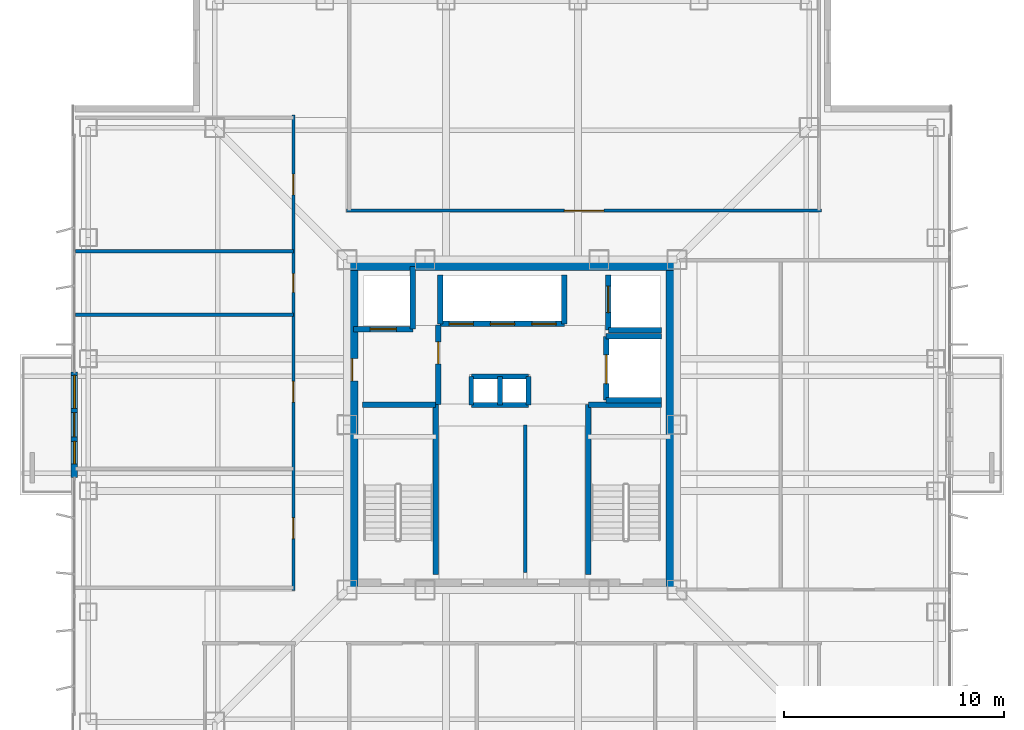
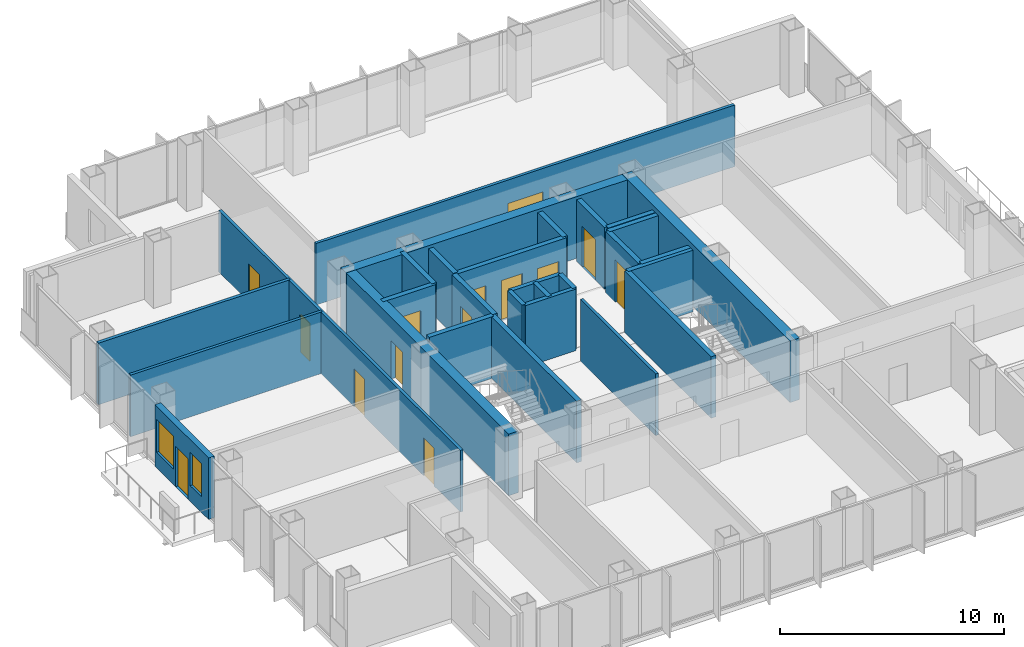
# One storey, part 11 of 15: 29 walls, 14 doors, 2 windows, 16 openings.
"""IFC4 building model written with IfcOpenShell, lengths in metres."""

from ifc_helpers import new_model, si_unit, direction, frame, frame_2d, origin, place, context, subcontext, project, spatial, rectangle, extrude, material, layer, layer_set, type_object, element, fill, save


model = new_model("IFC4")

# Units and contexts
model_context = context("Model", 3, precision=1e-05, world=origin(), true_north=direction((0.0, 1.0)))
body_context = subcontext(model_context, "Body", "Model", "MODEL_VIEW")
ifc_project = project(units=[si_unit("LENGTHUNIT", "METRE"), si_unit("AREAUNIT", "SQUARE_METRE"), si_unit("VOLUMEUNIT", "CUBIC_METRE"), si_unit("PLANEANGLEUNIT", "RADIAN"), si_unit("MASSUNIT", "GRAM", prefix="KILO")], contexts=[model_context])

# Site, building, storey
site_placement = place(None, origin())
site = spatial("IfcSite", under=ifc_project, at=site_placement, CompositionType="ELEMENT")
building_placement = place(site_placement, origin())
building = spatial("IfcBuilding", under=site, at=building_placement, Name="Trevonay Congress Spire", CompositionType="ELEMENT")
storey_placement = place(building_placement, frame((0.0, 0.0, 216.60009765625)))
storey = spatial("IfcBuildingStorey", under=building, at=storey_placement, Name="L56", CompositionType="ELEMENT", Elevation=216.60009765625)

# Wall
ifc_material_1 = material(Name="Concrete C50/60", Category="concrete")
ifc_layer_1 = layer(ifc_material_1, 0.5, Name="Concrete C50/60")
ifc_layer_set_1 = layer_set([ifc_layer_1], Name="Concrete C50/60")
wall_type_1 = type_object("IfcWallType", Name="WAL-CORE-500", PredefinedType="SHEAR", material=ifc_layer_set_1)
wall_1_placement = place(storey_placement, frame((-7.5, 7.25, 0.0), z_axis=(0.0, 0.0, 1.0), x_axis=(1.0, 0.0, 0.0)))
element("IfcWall", 1, at=wall_1_placement, inside=storey, type_object=wall_type_1, Name="L56 North structural core shear wall", PredefinedType="SHEAR", context=body_context, shape_type="SweptSolid", body=[
    extrude(rectangle(XDim=15.0, YDim=0.5, at=frame_2d((7.5, 0.0))), origin(), (0.0, 0.0, 1.0), 3.35986328125),
])

# Wall, opening, door
wall_2_placement = place(storey_placement, frame((-7.25, -7.5, 0.0), z_axis=(0.0, 0.0, 1.0), x_axis=(0.0, 1.0, 0.0)))
wall_2 = element("IfcWall", 2, at=wall_2_placement, inside=storey, type_object=wall_type_1, Name="L56 West structural core shear wall", PredefinedType="SHEAR", context=body_context, shape_type="SweptSolid", body=[
    extrude(rectangle(XDim=15.0, YDim=0.5, at=frame_2d((7.5, 0.0))), origin(), (0.0, 0.0, 1.0), 3.35986328125),
])
opening_1_placement = place(wall_2_placement, frame((9.5, 0.0, 0.0)))
opening_1 = element("IfcOpeningElement", 3, at=opening_1_placement, cuts=wall_2, Name="Opening D06", PredefinedType="OPENING", context=body_context, shape_type="SweptSolid", body=[
    extrude(rectangle(XDim=1.0, YDim=2.080078125, at=frame_2d((0.5, 1.0400390625))), frame((0.0, 0.260009765625, 0.0), z_axis=(0.0, -1.0, 0.0), x_axis=(1.0, 0.0, 0.0)), (0.0, 0.0, 1.0), 0.52001953125),
])
ifc_material_2 = material(Name="Steel ASTM A572 Grade 50", Category="steel")
door_type_1 = type_object("IfcDoorType", Name="DOR-FIRE-100", OperationType="NOTDEFINED", PredefinedType="DOOR", material=ifc_material_2)
door_1_placement = place(opening_1_placement, origin())
door_1 = element("IfcDoor", 4, at=door_1_placement, inside=storey, type_object=door_type_1, Name="L56 Firefighting Lift Lobby West Corridor Door", OperationType="SINGLE_SWING_RIGHT", OverallHeight=2.080078125, OverallWidth=1.0, PredefinedType="DOOR", context=body_context, shape_type="SweptSolid", body=[
    extrude(rectangle(XDim=1.0, YDim=2.080078125, at=frame_2d((0.5, 1.0400390625))), frame((0.0, 0.02490234375, 0.0), z_axis=(0.0, -1.0, 0.0), x_axis=(1.0, 0.0, 0.0)), (0.0, 0.0, 1.0), 0.050048828125),
])
fill(opening_1, door_1)

# Wall
wall_3_placement = place(storey_placement, frame((7.25, -7.5, 0.0), z_axis=(0.0, 0.0, 1.0), x_axis=(0.0, 1.0, 0.0)))
element("IfcWall", 5, at=wall_3_placement, inside=storey, type_object=wall_type_1, Name="L56 East structural core shear wall", PredefinedType="SHEAR", context=body_context, shape_type="SweptSolid", body=[
    extrude(rectangle(XDim=15.0, YDim=0.5, at=frame_2d((7.5, 0.0))), origin(), (0.0, 0.0, 1.0), 3.35986328125),
])

# Wall, openings, doors
ifc_material_3 = material(Name="Concrete C40/50", Category="concrete")
ifc_layer_2 = layer(ifc_material_3, 0.14990234375, Name="Concrete C40/50")
ifc_layer_set_2 = layer_set([ifc_layer_2], Name="Concrete C40/50")
wall_type_2 = type_object("IfcWallType", Name="WAL-CORR-150", PredefinedType="PARTITIONING", material=ifc_layer_set_2)
wall_4_placement = place(storey_placement, frame((-9.929931640625, -7.52001953125, 0.0), z_axis=(0.0, 0.0, 1.0), x_axis=(0.0, 1.0, 0.0)))
wall_4 = element("IfcWall", 6, at=wall_4_placement, inside=storey, type_object=wall_type_2, Name="L56 interior wall WP-L56NW-COR", PredefinedType="PARTITIONING", context=body_context, shape_type="SweptSolid", body=[
    extrude(rectangle(XDim=21.590087890625, YDim=0.14990234375, at=frame_2d((10.794921875, 0.0))), origin(), (0.0, 0.0, 1.0), 3.35986328125),
])
opening_2_placement = place(wall_4_placement, frame((2.344970703125, 0.0, 0.0)))
opening_2 = element("IfcOpeningElement", 7, at=opening_2_placement, cuts=wall_4, Name="Opening D07", PredefinedType="OPENING", context=body_context, shape_type="SweptSolid", body=[
    extrude(rectangle(XDim=0.949951171875, YDim=2.06005859375, at=frame_2d((0.47509765625, 1.030029296875))), frame((0.0, 0.0849609375, 0.0), z_axis=(0.0, -1.0, 0.0), x_axis=(1.0, 0.0, 0.0)), (0.0, 0.0, 1.0), 0.169921875),
])
opening_3_placement = place(wall_4_placement, frame((8.544921875, 0.0, 0.0)))
opening_3 = element("IfcOpeningElement", 8, at=opening_3_placement, cuts=wall_4, Name="Opening D07", PredefinedType="OPENING", context=body_context, shape_type="SweptSolid", body=[
    extrude(rectangle(XDim=0.949951171875, YDim=2.06005859375, at=frame_2d((0.47509765625, 1.030029296875))), frame((0.0, 0.0849609375, 0.0), z_axis=(0.0, -1.0, 0.0), x_axis=(1.0, 0.0, 0.0)), (0.0, 0.0, 1.0), 0.169921875),
])
opening_4_placement = place(wall_4_placement, frame((13.534912109375, 0.0, 0.0)))
opening_4 = element("IfcOpeningElement", 9, at=opening_4_placement, cuts=wall_4, Name="Opening D10", PredefinedType="OPENING", context=body_context, shape_type="SweptSolid", body=[
    extrude(rectangle(XDim=0.85009765625, YDim=2.050048828125, at=frame_2d((0.425048828125, 1.02490234375))), frame((0.0, 0.0849609375, 0.0), z_axis=(0.0, -1.0, 0.0), x_axis=(1.0, 0.0, 0.0)), (0.0, 0.0, 1.0), 0.169921875),
])
opening_5_placement = place(wall_4_placement, frame((17.9599609375, 0.0, 0.0)))
opening_5 = element("IfcOpeningElement", 10, at=opening_5_placement, cuts=wall_4, Name="Opening D07", PredefinedType="OPENING", context=body_context, shape_type="SweptSolid", body=[
    extrude(rectangle(XDim=0.949951171875, YDim=2.06005859375, at=frame_2d((0.47509765625, 1.030029296875))), frame((0.0, 0.0849609375, 0.0), z_axis=(0.0, -1.0, 0.0), x_axis=(1.0, 0.0, 0.0)), (0.0, 0.0, 1.0), 0.169921875),
])
ifc_material_4 = material(Name="Pale Anodised Aluminium EN AW-6063-T6", Category="aluminium")
door_type_2 = type_object("IfcDoorType", Name="DOR-OFFICE-95", OperationType="NOTDEFINED", PredefinedType="DOOR", material=ifc_material_4)
door_2_placement = place(opening_2_placement, origin())
door_2 = element("IfcDoor", 11, at=door_2_placement, inside=storey, type_object=door_type_2, Name="L56 Client Briefing Room Door", OperationType="SINGLE_SWING_LEFT", OverallHeight=2.06005859375, OverallWidth=0.949951171875, PredefinedType="DOOR", context=body_context, shape_type="SweptSolid", body=[
    extrude(rectangle(XDim=0.949951171875, YDim=2.06005859375, at=frame_2d((0.47509765625, 1.030029296875))), frame((0.0, 0.02490234375, 0.0), z_axis=(0.0, -1.0, 0.0), x_axis=(1.0, 0.0, 0.0)), (0.0, 0.0, 1.0), 0.050048828125),
])
fill(opening_2, door_2)
door_3_placement = place(opening_3_placement, origin())
door_3 = element("IfcDoor", 12, at=door_3_placement, inside=storey, type_object=door_type_2, Name="L56 Investor Relations Office Door", OperationType="SINGLE_SWING_RIGHT", OverallHeight=2.06005859375, OverallWidth=0.949951171875, PredefinedType="DOOR", context=body_context, shape_type="SweptSolid", body=[
    extrude(rectangle(XDim=0.949951171875, YDim=2.06005859375, at=frame_2d((0.47509765625, 1.030029296875))), frame((0.0, 0.02490234375, 0.0), z_axis=(0.0, -1.0, 0.0), x_axis=(1.0, 0.0, 0.0)), (0.0, 0.0, 1.0), 0.050048828125),
])
fill(opening_3, door_3)
door_4_placement = place(opening_5_placement, origin())
door_4 = element("IfcDoor", 13, at=door_4_placement, inside=storey, type_object=door_type_2, Name="L56 Floor Supplies and Copy Room Door", OperationType="SINGLE_SWING_RIGHT", OverallHeight=2.06005859375, OverallWidth=0.949951171875, PredefinedType="DOOR", context=body_context, shape_type="SweptSolid", body=[
    extrude(rectangle(XDim=0.949951171875, YDim=2.06005859375, at=frame_2d((0.47509765625, 1.030029296875))), frame((0.0, 0.02490234375, 0.0), z_axis=(0.0, -1.0, 0.0), x_axis=(1.0, 0.0, 0.0)), (0.0, 0.0, 1.0), 0.050048828125),
])
fill(opening_5, door_4)
door_type_3 = type_object("IfcDoorType", Name="DOR-WC-85", OperationType="NOTDEFINED", PredefinedType="DOOR", material=ifc_material_4)
door_5_placement = place(opening_4_placement, origin())
door_5 = element("IfcDoor", 14, at=door_5_placement, inside=storey, type_object=door_type_3, Name="L56 Male Restroom WC Door", OperationType="SINGLE_SWING_LEFT", OverallHeight=2.050048828125, OverallWidth=0.85009765625, PredefinedType="DOOR", context=body_context, shape_type="SweptSolid", body=[
    extrude(rectangle(XDim=0.85009765625, YDim=2.050048828125, at=frame_2d((0.425048828125, 1.02490234375))), frame((0.0, 0.02490234375, 0.0), z_axis=(0.0, -1.0, 0.0), x_axis=(1.0, 0.0, 0.0)), (0.0, 0.0, 1.0), 0.050048828125),
])
fill(opening_4, door_5)

# Wall, opening, door
wall_5_placement = place(storey_placement, frame((-7.52001953125, 9.72998046875, 0.0), z_axis=(0.0, 0.0, 1.0), x_axis=(1.0, 0.0, 0.0)))
wall_5 = element("IfcWall", 15, at=wall_5_placement, inside=storey, type_object=wall_type_2, Name="L56 interior wall WP-L56N-COR", PredefinedType="PARTITIONING", context=body_context, shape_type="SweptSolid", body=[
    extrude(rectangle(XDim=21.590087890625, YDim=0.14990234375, at=frame_2d((10.794921875, 0.0))), origin(), (0.0, 0.0, 1.0), 3.35986328125),
])
opening_6_placement = place(wall_5_placement, frame((9.89501953125, 0.0, 0.0)))
opening_6 = element("IfcOpeningElement", 16, at=opening_6_placement, cuts=wall_5, Name="Opening D09", PredefinedType="OPENING", context=body_context, shape_type="SweptSolid", body=[
    extrude(rectangle(XDim=1.800048828125, YDim=2.080078125, at=frame_2d((0.89990234375, 1.0400390625))), frame((0.0, 0.0849609375, 0.0), z_axis=(0.0, -1.0, 0.0), x_axis=(1.0, 0.0, 0.0)), (0.0, 0.0, 1.0), 0.169921875),
])
door_type_4 = type_object("IfcDoorType", Name="DOR-CONF-DBL", OperationType="DOUBLE_DOOR_SINGLE_SWING", PredefinedType="DOOR", material=ifc_material_4)
door_6_placement = place(opening_6_placement, origin())
door_6 = element("IfcDoor", 17, at=door_6_placement, inside=storey, type_object=door_type_4, Name="L56 Main Plenary FinTech Auditorium Hall Door", OperationType="DOUBLE_DOOR_SINGLE_SWING", OverallHeight=2.080078125, OverallWidth=1.800048828125, PredefinedType="DOOR", context=body_context, shape_type="SweptSolid", body=[
    extrude(rectangle(XDim=1.800048828125, YDim=2.080078125, at=frame_2d((0.89990234375, 1.0400390625))), frame((0.0, 0.02490234375, 0.0), z_axis=(0.0, -1.0, 0.0), x_axis=(1.0, 0.0, 0.0)), (0.0, 0.0, 1.0), 0.050048828125),
])
fill(opening_6, door_6)

# Wall, openings, door, windows
ifc_material_5 = material(Name="Precast concrete C40/50", Category="concrete")
ifc_layer_3 = layer(ifc_material_5, 0.300048828125, Name="Precast concrete C40/50")
ifc_layer_set_3 = layer_set([ifc_layer_3], Name="Precast concrete C40/50")
wall_type_3 = type_object("IfcWallType", Name="WAL-EXT-PRECAST-300", PredefinedType="SOLIDWALL", material=ifc_layer_set_3)
wall_6_placement = place(storey_placement, frame((-19.8798828125, -2.39990234375, 0.0), z_axis=(0.0, 0.0, 1.0), x_axis=(0.0, 1.0, 0.0)))
wall_6 = element("IfcWall", 18, at=wall_6_placement, inside=storey, type_object=wall_type_3, Name="L56 W glazed balcony portal exterior wall", PredefinedType="SOLIDWALL", context=body_context, shape_type="SweptSolid", body=[
    extrude(rectangle(XDim=4.7998046875, YDim=0.300048828125, at=frame_2d((2.39990234375, 0.0))), origin(), (0.0, 0.0, 1.0), 3.35986328125),
])
opening_7_placement = place(wall_6_placement, frame((1.85009765625, 0.0, 0.0)))
opening_7 = element("IfcOpeningElement", 19, at=opening_7_placement, cuts=wall_6, Name="Opening D03", PredefinedType="OPENING", context=body_context, shape_type="SweptSolid", body=[
    extrude(rectangle(XDim=1.10009765625, YDim=2.199951171875, at=frame_2d((0.550048828125, 1.10009765625))), frame((0.0, 0.16015625, 0.0), z_axis=(0.0, -1.0, 0.0), x_axis=(1.0, 0.0, 0.0)), (0.0, 0.0, 1.0), 0.320068359375),
])
opening_8_placement = place(wall_6_placement, frame((0.6201171875, 0.0, 0.85009765625)))
opening_8 = element("IfcOpeningElement", 20, at=opening_8_placement, cuts=wall_6, Name="Opening WN08", PredefinedType="OPENING", context=body_context, shape_type="SweptSolid", body=[
    extrude(rectangle(XDim=1.030029296875, YDim=1.800048828125, at=frame_2d((0.51513671875, 0.89990234375))), frame((0.0, 0.16015625, 0.0), z_axis=(0.0, -1.0, 0.0), x_axis=(1.0, 0.0, 0.0)), (0.0, 0.0, 1.0), 0.320068359375),
])
opening_9_placement = place(wall_6_placement, frame((3.14990234375, 0.0, 0.85009765625)))
opening_9 = element("IfcOpeningElement", 21, at=opening_9_placement, cuts=wall_6, Name="Opening WN03", PredefinedType="OPENING", context=body_context, shape_type="SweptSolid", body=[
    extrude(rectangle(XDim=1.5, YDim=1.800048828125, at=frame_2d((0.75, 0.89990234375))), frame((0.0, 0.16015625, 0.0), z_axis=(0.0, -1.0, 0.0), x_axis=(1.0, 0.0, 0.0)), (0.0, 0.0, 1.0), 0.320068359375),
])
door_type_5 = type_object("IfcDoorType", Name="DOR-EXT-BAL-110", OperationType="NOTDEFINED", PredefinedType="DOOR", material=ifc_material_4)
door_7_placement = place(opening_7_placement, origin())
door_7 = element("IfcDoor", 22, at=door_7_placement, inside=storey, type_object=door_type_5, Name="L56 W glazed outdoor terrace and balcony door", OperationType="SINGLE_SWING_LEFT", OverallHeight=2.199951171875, OverallWidth=1.10009765625, PredefinedType="DOOR", context=body_context, shape_type="SweptSolid", body=[
    extrude(rectangle(XDim=1.10009765625, YDim=2.199951171875, at=frame_2d((0.550048828125, 1.10009765625))), frame((0.0, 0.02490234375, 0.0), z_axis=(0.0, -1.0, 0.0), x_axis=(1.0, 0.0, 0.0)), (0.0, 0.0, 1.0), 0.050048828125),
])
fill(opening_7, door_7)
ifc_material_6 = material(Name="Insulated Low-E Vision Glass IGU", Category="glass")
window_type_1 = type_object("IfcWindowType", Name="WIN-NOTCH-150X180", PartitioningType="SINGLE_PANEL", PredefinedType="WINDOW", material=ifc_material_6)
window_1_placement = place(opening_9_placement, origin())
window_1 = element("IfcWindow", 23, at=window_1_placement, inside=storey, type_object=window_type_1, Name="L56 W balcony sidelight window R", OverallHeight=1.800048828125, OverallWidth=1.5, PartitioningType="SINGLE_PANEL", PredefinedType="WINDOW", context=body_context, shape_type="SweptSolid", body=[
    extrude(rectangle(XDim=1.5, YDim=1.800048828125, at=frame_2d((0.75, 0.89990234375))), frame((0.0, 0.030029296875, 0.0), z_axis=(0.0, -1.0, 0.0), x_axis=(1.0, 0.0, 0.0)), (0.0, 0.0, 1.0), 0.06005859375),
])
fill(opening_9, window_1)
window_type_2 = type_object("IfcWindowType", Name="WIN-SIDELIGHT-103X180", PartitioningType="SINGLE_PANEL", PredefinedType="WINDOW", material=ifc_material_6)
window_2_placement = place(opening_8_placement, origin())
window_2 = element("IfcWindow", 24, at=window_2_placement, inside=storey, type_object=window_type_2, Name="L56 W balcony sidelight window L", OverallHeight=1.800048828125, OverallWidth=1.030029296875, PartitioningType="SINGLE_PANEL", PredefinedType="WINDOW", context=body_context, shape_type="SweptSolid", body=[
    extrude(rectangle(XDim=1.030029296875, YDim=1.800048828125, at=frame_2d((0.51513671875, 0.89990234375))), frame((0.0, 0.030029296875, 0.0), z_axis=(0.0, -1.0, 0.0), x_axis=(1.0, 0.0, 0.0)), (0.0, 0.0, 1.0), 0.06005859375),
])
fill(opening_8, window_2)

# Walls
ifc_layer_4 = layer(ifc_material_3, 0.14990234375, Name="Concrete C40/50")
ifc_layer_set_4 = layer_set([ifc_layer_4], Name="Concrete C40/50")
wall_type_4 = type_object("IfcWallType", Name="WAL-PART-150", PredefinedType="PARTITIONING", material=ifc_layer_set_4)
wall_7_placement = place(storey_placement, frame((0.60009765625, -6.719970703125, 0.0), z_axis=(0.0, 0.0, 1.0), x_axis=(0.0, 1.0, 0.0)))
element("IfcWall", 25, at=wall_7_placement, inside=storey, type_object=wall_type_4, Name="L56 interior wall CW-F1V-L56", PredefinedType="PARTITIONING", context=body_context, shape_type="SweptSolid", body=[
    extrude(rectangle(XDim=6.719970703125, YDim=0.14990234375, at=frame_2d((3.35986328125, 0.0))), origin(), (0.0, 0.0, 1.0), 3.35986328125),
])
wall_8_placement = place(storey_placement, frame((-19.820068359375, 5.0, 0.0), z_axis=(0.0, 0.0, 1.0), x_axis=(1.0, 0.0, 0.0)))
element("IfcWall", 26, at=wall_8_placement, inside=storey, type_object=wall_type_4, Name="L56 interior wall WP-L56NW-DIV3", PredefinedType="PARTITIONING", context=body_context, shape_type="SweptSolid", body=[
    extrude(rectangle(XDim=9.89013671875, YDim=0.14990234375, at=frame_2d((4.945068359375, 0.0))), origin(), (0.0, 0.0, 1.0), 3.35986328125),
])
ifc_layer_5 = layer(ifc_material_3, 0.219970703125, Name="Concrete C40/50")
ifc_layer_set_5 = layer_set([ifc_layer_5], Name="Concrete C40/50")
wall_type_5 = type_object("IfcWallType", Name="WAL-SHAFT-220", PredefinedType="PARTITIONING", material=ifc_layer_set_5)
for number, where, z_axis, x_axis, name in (
    (27, (-1.85009765625, 2.199951171875, 0.0), (0.0, 0.0, 1.0), (1.0, 0.0, 0.0), "L56 interior shaft wall WSH-L56-RSR-N"),
    (28, (-1.85009765625, 0.89990234375, 0.0), (0.0, 0.0, 1.0), (1.0, 0.0, 0.0), "L56 interior shaft wall WSH-L56-RSR-S"),
):
    element("IfcWall", number, at=place(storey_placement, frame(where, z_axis=z_axis, x_axis=x_axis)), inside=storey, type_object=wall_type_5, Name=name, PredefinedType="PARTITIONING", context=body_context, shape_type="SweptSolid", body=[
        extrude(rectangle(XDim=2.60009765625, YDim=0.219970703125, at=frame_2d((1.300048828125, 0.0))), origin(), (0.0, 0.0, 1.0), 3.35986328125),
    ])
for number, where, z_axis, x_axis, name in (
    (29, (-0.550048828125, 0.89990234375, 0.0), (0.0, 0.0, 1.0), (0.0, 1.0, 0.0), "L56 interior shaft wall WSH-L56-RSR-M"),
    (30, (0.75, 0.89990234375, 0.0), (0.0, 0.0, 1.0), (0.0, 1.0, 0.0), "L56 interior shaft wall WSH-L56-RSR-E"),
    (31, (-1.85009765625, 0.89990234375, 0.0), (0.0, 0.0, 1.0), (0.0, 1.0, 0.0), "L56 interior shaft wall WSH-L56-RSR-W"),
):
    element("IfcWall", number, at=place(storey_placement, frame(where, z_axis=z_axis, x_axis=x_axis)), inside=storey, type_object=wall_type_5, Name=name, PredefinedType="PARTITIONING", context=body_context, shape_type="SweptSolid", body=[
        extrude(rectangle(XDim=1.300048828125, YDim=0.219970703125, at=frame_2d((0.64990234375, 0.0))), origin(), (0.0, 0.0, 1.0), 3.35986328125),
    ])

# Wall, openings, doors
ifc_layer_6 = layer(ifc_material_3, 0.25, Name="Concrete C40/50")
ifc_layer_set_6 = layer_set([ifc_layer_6], Name="Concrete C40/50")
wall_type_6 = type_object("IfcWallType", Name="WAL-SHAFT-250", PredefinedType="SHEAR", material=ifc_layer_set_6)
wall_9_placement = place(storey_placement, frame((-3.260009765625, 4.580078125, 0.0), z_axis=(0.0, 0.0, 1.0), x_axis=(1.0, 0.0, 0.0)))
wall_9 = element("IfcWall", 32, at=wall_9_placement, inside=storey, type_object=wall_type_6, Name="L56 interior shaft wall WSH-L56-B3-S", PredefinedType="SHEAR", context=body_context, shape_type="SweptSolid", body=[
    extrude(rectangle(XDim=5.639892578125, YDim=0.25, at=frame_2d((2.81982421875, 0.0))), origin(), (0.0, 0.0, 1.0), 3.35986328125),
])
opening_10_placement = place(wall_9_placement, frame((0.39990234375, 0.0, 0.0)))
opening_10 = element("IfcOpeningElement", 33, at=opening_10_placement, cuts=wall_9, Name="Opening LD03", PredefinedType="OPENING", context=body_context, shape_type="SweptSolid", body=[
    extrude(rectangle(XDim=1.10009765625, YDim=2.199951171875, at=frame_2d((0.550048828125, 1.10009765625))), frame((0.0, 0.135009765625, 0.0), z_axis=(0.0, -1.0, 0.0), x_axis=(1.0, 0.0, 0.0)), (0.0, 0.0, 1.0), 0.27001953125),
])
opening_11_placement = place(wall_9_placement, frame((2.280029296875, 0.0, 0.0)))
opening_11 = element("IfcOpeningElement", 34, at=opening_11_placement, cuts=wall_9, Name="Opening LD03", PredefinedType="OPENING", context=body_context, shape_type="SweptSolid", body=[
    extrude(rectangle(XDim=1.10009765625, YDim=2.199951171875, at=frame_2d((0.550048828125, 1.10009765625))), frame((0.0, 0.135009765625, 0.0), z_axis=(0.0, -1.0, 0.0), x_axis=(1.0, 0.0, 0.0)), (0.0, 0.0, 1.0), 0.27001953125),
])
opening_12_placement = place(wall_9_placement, frame((4.159912109375, 0.0, 0.0)))
opening_12 = element("IfcOpeningElement", 35, at=opening_12_placement, cuts=wall_9, Name="Opening LD03", PredefinedType="OPENING", context=body_context, shape_type="SweptSolid", body=[
    extrude(rectangle(XDim=1.10009765625, YDim=2.199951171875, at=frame_2d((0.550048828125, 1.10009765625))), frame((0.0, 0.135009765625, 0.0), z_axis=(0.0, -1.0, 0.0), x_axis=(1.0, 0.0, 0.0)), (0.0, 0.0, 1.0), 0.27001953125),
])
door_type_6 = type_object("IfcDoorType", Name="DOR-LIFT-LD03", OperationType="DOUBLE_DOOR_SLIDING", PredefinedType="DOOR", material=ifc_material_4)
door_8_placement = place(opening_10_placement, origin())
door_8 = element("IfcDoor", 36, at=door_8_placement, inside=storey, type_object=door_type_6, Name="L56 Passenger lift PL-07 landing door", OperationType="DOUBLE_DOOR_SLIDING", OverallHeight=2.199951171875, OverallWidth=1.10009765625, PredefinedType="DOOR", context=body_context, shape_type="SweptSolid", body=[
    extrude(rectangle(XDim=1.10009765625, YDim=2.199951171875, at=frame_2d((0.550048828125, 1.10009765625))), frame((0.0, 0.02490234375, 0.0), z_axis=(0.0, -1.0, 0.0), x_axis=(1.0, 0.0, 0.0)), (0.0, 0.0, 1.0), 0.050048828125),
])
fill(opening_10, door_8)
door_9_placement = place(opening_11_placement, origin())
door_9 = element("IfcDoor", 37, at=door_9_placement, inside=storey, type_object=door_type_6, Name="L56 Passenger lift PL-08 landing door", OperationType="DOUBLE_DOOR_SLIDING", OverallHeight=2.199951171875, OverallWidth=1.10009765625, PredefinedType="DOOR", context=body_context, shape_type="SweptSolid", body=[
    extrude(rectangle(XDim=1.10009765625, YDim=2.199951171875, at=frame_2d((0.550048828125, 1.10009765625))), frame((0.0, 0.02490234375, 0.0), z_axis=(0.0, -1.0, 0.0), x_axis=(1.0, 0.0, 0.0)), (0.0, 0.0, 1.0), 0.050048828125),
])
fill(opening_11, door_9)
door_10_placement = place(opening_12_placement, origin())
door_10 = element("IfcDoor", 38, at=door_10_placement, inside=storey, type_object=door_type_6, Name="L56 Passenger lift PL-09 landing door", OperationType="DOUBLE_DOOR_SLIDING", OverallHeight=2.199951171875, OverallWidth=1.10009765625, PredefinedType="DOOR", context=body_context, shape_type="SweptSolid", body=[
    extrude(rectangle(XDim=1.10009765625, YDim=2.199951171875, at=frame_2d((0.550048828125, 1.10009765625))), frame((0.0, 0.02490234375, 0.0), z_axis=(0.0, -1.0, 0.0), x_axis=(1.0, 0.0, 0.0)), (0.0, 0.0, 1.0), 0.050048828125),
])
fill(opening_12, door_10)

# Walls
for number, where, z_axis, x_axis, name in (
    (39, (-3.260009765625, 4.580078125, 0.0), (0.0, 0.0, 1.0), (0.0, 1.0, 0.0), "L56 interior shaft wall WSH-L56-B3-W"),
    (40, (2.3798828125, 4.580078125, 0.0), (0.0, 0.0, 1.0), (0.0, 1.0, 0.0), "L56 interior shaft wall WSH-L56-B3-E"),
):
    element("IfcWall", number, at=place(storey_placement, frame(where, z_axis=z_axis, x_axis=x_axis)), inside=storey, type_object=wall_type_6, Name=name, PredefinedType="SHEAR", context=body_context, shape_type="SweptSolid", body=[
        extrude(rectangle(XDim=2.219970703125, YDim=0.25, at=frame_2d((1.10986328125, 0.0))), origin(), (0.0, 0.0, 1.0), 3.35986328125),
    ])

# Wall, opening, door
wall_10_placement = place(storey_placement, frame((-7.199951171875, 4.35009765625, 0.0), z_axis=(0.0, 0.0, 1.0), x_axis=(1.0, 0.0, 0.0)))
wall_10 = element("IfcWall", 41, at=wall_10_placement, inside=storey, type_object=wall_type_6, Name="L56 interior shaft wall WSH-L56-FF1-S", PredefinedType="SHEAR", context=body_context, shape_type="SweptSolid", body=[
    extrude(rectangle(XDim=2.699951171875, YDim=0.25, at=frame_2d((1.35009765625, 0.0))), origin(), (0.0, 0.0, 1.0), 3.35986328125),
])
opening_13_placement = place(wall_10_placement, frame((0.75, 0.0, 0.0)))
opening_13 = element("IfcOpeningElement", 42, at=opening_13_placement, cuts=wall_10, Name="Opening LD04", PredefinedType="OPENING", context=body_context, shape_type="SweptSolid", body=[
    extrude(rectangle(XDim=1.199951171875, YDim=2.199951171875, at=frame_2d((0.60009765625, 1.10009765625))), frame((0.0, 0.135009765625, 0.0), z_axis=(0.0, -1.0, 0.0), x_axis=(1.0, 0.0, 0.0)), (0.0, 0.0, 1.0), 0.27001953125),
])
door_type_7 = type_object("IfcDoorType", Name="DOR-LIFT-LD04", OperationType="DOUBLE_DOOR_SLIDING", PredefinedType="DOOR", material=ifc_material_2)
door_11_placement = place(opening_13_placement, origin())
door_11 = element("IfcDoor", 43, at=door_11_placement, inside=storey, type_object=door_type_7, Name="L56 Firefighting lift FFL-01 landing door", OperationType="DOUBLE_DOOR_SLIDING", OverallHeight=2.199951171875, OverallWidth=1.199951171875, PredefinedType="DOOR", context=body_context, shape_type="SweptSolid", body=[
    extrude(rectangle(XDim=1.199951171875, YDim=2.199951171875, at=frame_2d((0.60009765625, 1.10009765625))), frame((0.0, 0.02490234375, 0.0), z_axis=(0.0, -1.0, 0.0), x_axis=(1.0, 0.0, 0.0)), (0.0, 0.0, 1.0), 0.050048828125),
])
fill(opening_13, door_11)

# Walls
wall_11_placement = place(storey_placement, frame((-4.5, 4.35009765625, 0.0), z_axis=(0.0, 0.0, 1.0), x_axis=(0.0, 1.0, 0.0)))
element("IfcWall", 44, at=wall_11_placement, inside=storey, type_object=wall_type_6, Name="L56 interior shaft wall WSH-L56-FF1-E", PredefinedType="SHEAR", context=body_context, shape_type="SweptSolid", body=[
    extrude(rectangle(XDim=2.849853515625, YDim=0.25, at=frame_2d((1.4248046875, 0.0))), origin(), (0.0, 0.0, 1.0), 3.35986328125),
])
wall_12_placement = place(storey_placement, frame((4.3798828125, 4.300048828125, 0.0), z_axis=(0.0, 0.0, 1.0), x_axis=(1.0, 0.0, 0.0)))
element("IfcWall", 45, at=wall_12_placement, inside=storey, type_object=wall_type_6, Name="L56 interior shaft wall WSH-L56-FF2-S", PredefinedType="SHEAR", context=body_context, shape_type="SweptSolid", body=[
    extrude(rectangle(XDim=2.420166015625, YDim=0.25, at=frame_2d((1.2099609375, 0.0))), origin(), (0.0, 0.0, 1.0), 3.35986328125),
])

# Wall, opening, door
wall_13_placement = place(storey_placement, frame((4.3798828125, 4.300048828125, 0.0), z_axis=(0.0, 0.0, 1.0), x_axis=(0.0, 1.0, 0.0)))
wall_13 = element("IfcWall", 46, at=wall_13_placement, inside=storey, type_object=wall_type_6, Name="L56 interior shaft wall WSH-L56-FF2-W", PredefinedType="SHEAR", context=body_context, shape_type="SweptSolid", body=[
    extrude(rectangle(XDim=2.5, YDim=0.25, at=frame_2d((1.25, 0.0))), origin(), (0.0, 0.0, 1.0), 3.35986328125),
])
opening_14_placement = place(wall_13_placement, frame((0.800048828125, 0.0, 0.0)))
opening_14 = element("IfcOpeningElement", 47, at=opening_14_placement, cuts=wall_13, Name="Opening LD04", PredefinedType="OPENING", context=body_context, shape_type="SweptSolid", body=[
    extrude(rectangle(XDim=1.199951171875, YDim=2.199951171875, at=frame_2d((0.60009765625, 1.10009765625))), frame((0.0, 0.135009765625, 0.0), z_axis=(0.0, -1.0, 0.0), x_axis=(1.0, 0.0, 0.0)), (0.0, 0.0, 1.0), 0.27001953125),
])
door_12_placement = place(opening_14_placement, origin())
door_12 = element("IfcDoor", 48, at=door_12_placement, inside=storey, type_object=door_type_7, Name="L56 Firefighting lift FFL-02 landing door", OperationType="DOUBLE_DOOR_SLIDING", OverallHeight=2.199951171875, OverallWidth=1.199951171875, PredefinedType="DOOR", context=body_context, shape_type="SweptSolid", body=[
    extrude(rectangle(XDim=1.199951171875, YDim=2.199951171875, at=frame_2d((0.60009765625, 1.10009765625))), frame((0.0, 0.02490234375, 0.0), z_axis=(0.0, -1.0, 0.0), x_axis=(1.0, 0.0, 0.0)), (0.0, 0.0, 1.0), 0.050048828125),
])
fill(opening_14, door_12)

wall_14_placement = place(storey_placement, frame((4.280029296875, 1.1201171875, 0.0), z_axis=(0.0, 0.0, 1.0), x_axis=(0.0, 1.0, 0.0)))
wall_14 = element("IfcWall", 49, at=wall_14_placement, inside=storey, type_object=wall_type_6, Name="L56 interior shaft wall WSH-L56-SV-W", PredefinedType="SHEAR", context=body_context, shape_type="SweptSolid", body=[
    extrude(rectangle(XDim=2.89990234375, YDim=0.25, at=frame_2d((1.449951171875, 0.0))), origin(), (0.0, 0.0, 1.0), 3.35986328125),
])
opening_15_placement = place(wall_14_placement, frame((0.75, 0.0, 0.0)))
opening_15 = element("IfcOpeningElement", 50, at=opening_15_placement, cuts=wall_14, Name="Opening LD05", PredefinedType="OPENING", context=body_context, shape_type="SweptSolid", body=[
    extrude(rectangle(XDim=1.300048828125, YDim=2.300048828125, at=frame_2d((0.64990234375, 1.14990234375))), frame((0.0, 0.135009765625, 0.0), z_axis=(0.0, -1.0, 0.0), x_axis=(1.0, 0.0, 0.0)), (0.0, 0.0, 1.0), 0.27001953125),
])
door_type_8 = type_object("IfcDoorType", Name="DOR-LIFT-LD05", OperationType="DOUBLE_DOOR_SLIDING", PredefinedType="DOOR", material=ifc_material_2)
door_13_placement = place(opening_15_placement, origin())
door_13 = element("IfcDoor", 51, at=door_13_placement, inside=storey, type_object=door_type_8, Name="L56 Goods lift SVL-01 landing door", OperationType="DOUBLE_DOOR_SLIDING", OverallHeight=2.300048828125, OverallWidth=1.300048828125, PredefinedType="DOOR", context=body_context, shape_type="SweptSolid", body=[
    extrude(rectangle(XDim=1.300048828125, YDim=2.300048828125, at=frame_2d((0.64990234375, 1.14990234375))), frame((0.0, 0.02490234375, 0.0), z_axis=(0.0, -1.0, 0.0), x_axis=(1.0, 0.0, 0.0)), (0.0, 0.0, 1.0), 0.050048828125),
])
fill(opening_15, door_13)

# Walls
for number, where, z_axis, x_axis, name in (
    (52, (4.280029296875, 1.1201171875, 0.0), (0.0, 0.0, 1.0), (1.0, 0.0, 0.0), "L56 interior shaft wall WSH-L56-SV-S"),
    (53, (4.280029296875, 4.02001953125, 0.0), (0.0, 0.0, 1.0), (1.0, 0.0, 0.0), "L56 interior shaft wall WSH-L56-SV-N"),
):
    element("IfcWall", number, at=place(storey_placement, frame(where, z_axis=z_axis, x_axis=x_axis)), inside=storey, type_object=wall_type_6, Name=name, PredefinedType="SHEAR", context=body_context, shape_type="SweptSolid", body=[
        extrude(rectangle(XDim=2.52001953125, YDim=0.25, at=frame_2d((1.260009765625, 0.0))), origin(), (0.0, 0.0, 1.0), 3.35986328125),
    ])

# Wall, opening, door
wall_15_placement = place(storey_placement, frame((-3.35009765625, 0.919921875, 0.0), z_axis=(0.0, 0.0, 1.0), x_axis=(0.0, 1.0, 0.0)))
wall_15 = element("IfcWall", 54, at=wall_15_placement, inside=storey, type_object=wall_type_6, Name="L56 interior wall CW-FFLW-E-L56", PredefinedType="SHEAR", context=body_context, shape_type="SweptSolid", body=[
    extrude(rectangle(XDim=3.6201171875, YDim=0.25, at=frame_2d((1.81005859375, 0.0))), origin(), (0.0, 0.0, 1.0), 3.35986328125),
])
opening_16_placement = place(wall_15_placement, frame((1.85009765625, 0.0, 0.0)))
opening_16 = element("IfcOpeningElement", 55, at=opening_16_placement, cuts=wall_15, Name="Opening D06", PredefinedType="OPENING", context=body_context, shape_type="SweptSolid", body=[
    extrude(rectangle(XDim=1.0, YDim=2.080078125, at=frame_2d((0.5, 1.0400390625))), frame((0.0, 0.135009765625, 0.0), z_axis=(0.0, -1.0, 0.0), x_axis=(1.0, 0.0, 0.0)), (0.0, 0.0, 1.0), 0.27001953125),
])
door_14_placement = place(opening_16_placement, origin())
door_14 = element("IfcDoor", 56, at=door_14_placement, inside=storey, type_object=door_type_1, Name="L56 Firefighting Core Lobby Transfer Door", OperationType="SINGLE_SWING_LEFT", OverallHeight=2.080078125, OverallWidth=1.0, PredefinedType="DOOR", context=body_context, shape_type="SweptSolid", body=[
    extrude(rectangle(XDim=1.0, YDim=2.080078125, at=frame_2d((0.5, 1.0400390625))), frame((0.0, 0.02490234375, 0.0), z_axis=(0.0, -1.0, 0.0), x_axis=(1.0, 0.0, 0.0)), (0.0, 0.0, 1.0), 0.050048828125),
])
fill(opening_16, door_14)

# Walls
ifc_layer_7 = layer(ifc_material_3, 0.25, Name="Concrete C40/50")
ifc_layer_set_7 = layer_set([ifc_layer_7], Name="Concrete C40/50")
wall_type_7 = type_object("IfcWallType", Name="WAL-SHAFT-LB-250", PredefinedType="SHEAR", material=ifc_layer_set_7)
wall_16_placement = place(storey_placement, frame((-3.469970703125, -6.800048828125, 0.0), z_axis=(0.0, 0.0, 1.0), x_axis=(0.0, 1.0, 0.0)))
element("IfcWall", 57, at=wall_16_placement, inside=storey, type_object=wall_type_7, Name="L56 interior shaft wall WSH-L56-ST1-E", PredefinedType="SHEAR", context=body_context, shape_type="SweptSolid", body=[
    extrude(rectangle(XDim=7.719970703125, YDim=0.25, at=frame_2d((3.85986328125, 0.0))), origin(), (0.0, 0.0, 1.0), 3.35986328125),
])
wall_17_placement = place(storey_placement, frame((-6.800048828125, 0.919921875, 0.0), z_axis=(0.0, 0.0, 1.0), x_axis=(1.0, 0.0, 0.0)))
element("IfcWall", 58, at=wall_17_placement, inside=storey, type_object=wall_type_7, Name="L56 interior shaft wall WSH-L56-ST1-N", PredefinedType="SHEAR", context=body_context, shape_type="SweptSolid", body=[
    extrude(rectangle(XDim=3.330078125, YDim=0.25, at=frame_2d((1.6650390625, 0.0))), origin(), (0.0, 0.0, 1.0), 3.35986328125),
])
wall_18_placement = place(storey_placement, frame((3.469970703125, -6.800048828125, 0.0), z_axis=(0.0, 0.0, 1.0), x_axis=(0.0, 1.0, 0.0)))
element("IfcWall", 59, at=wall_18_placement, inside=storey, type_object=wall_type_7, Name="L56 interior shaft wall WSH-L56-ST2-W", PredefinedType="SHEAR", context=body_context, shape_type="SweptSolid", body=[
    extrude(rectangle(XDim=7.719970703125, YDim=0.25, at=frame_2d((3.85986328125, 0.0))), origin(), (0.0, 0.0, 1.0), 3.35986328125),
])
wall_19_placement = place(storey_placement, frame((3.469970703125, 0.919921875, 0.0), z_axis=(0.0, 0.0, 1.0), x_axis=(1.0, 0.0, 0.0)))
element("IfcWall", 60, at=wall_19_placement, inside=storey, type_object=wall_type_7, Name="L56 interior shaft wall WSH-L56-ST2-N", PredefinedType="SHEAR", context=body_context, shape_type="SweptSolid", body=[
    extrude(rectangle(XDim=3.330078125, YDim=0.25, at=frame_2d((1.6650390625, 0.0))), origin(), (0.0, 0.0, 1.0), 3.35986328125),
])
ifc_layer_8 = layer(ifc_material_3, 0.1650390625, Name="Concrete C40/50")
ifc_layer_set_8 = layer_set([ifc_layer_8], Name="Concrete C40/50")
wall_type_8 = type_object("IfcWallType", Name="WAL-WET-165", PredefinedType="PLUMBINGWALL", material=ifc_layer_set_8)
wall_20_placement = place(storey_placement, frame((-19.820068359375, 7.8798828125, 0.0), z_axis=(0.0, 0.0, 1.0), x_axis=(1.0, 0.0, 0.0)))
element("IfcWall", 61, at=wall_20_placement, inside=storey, type_object=wall_type_8, Name="L56 interior wall WP-L56NW-WCS3", PredefinedType="PLUMBINGWALL", context=body_context, shape_type="SweptSolid", body=[
    extrude(rectangle(XDim=9.89013671875, YDim=0.1650390625, at=frame_2d((4.945068359375, 0.0))), origin(), (0.0, 0.0, 1.0), 3.35986328125),
])

save(model, "model.ifc")
